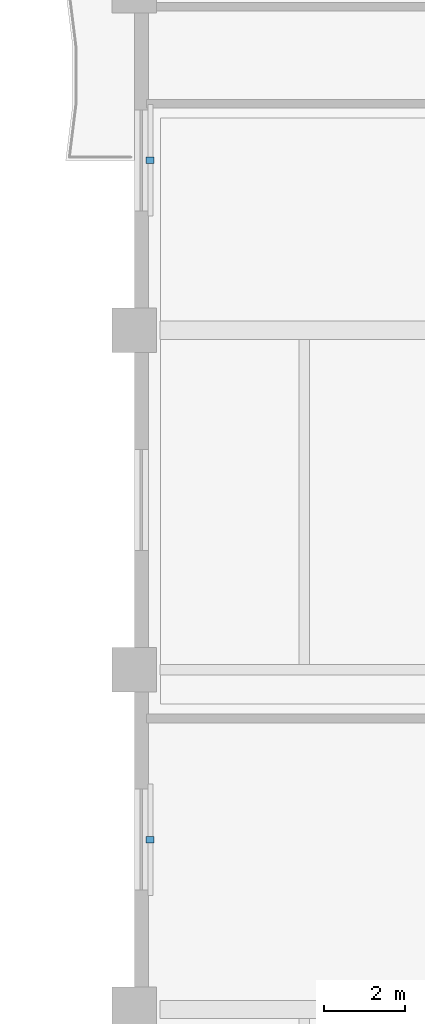
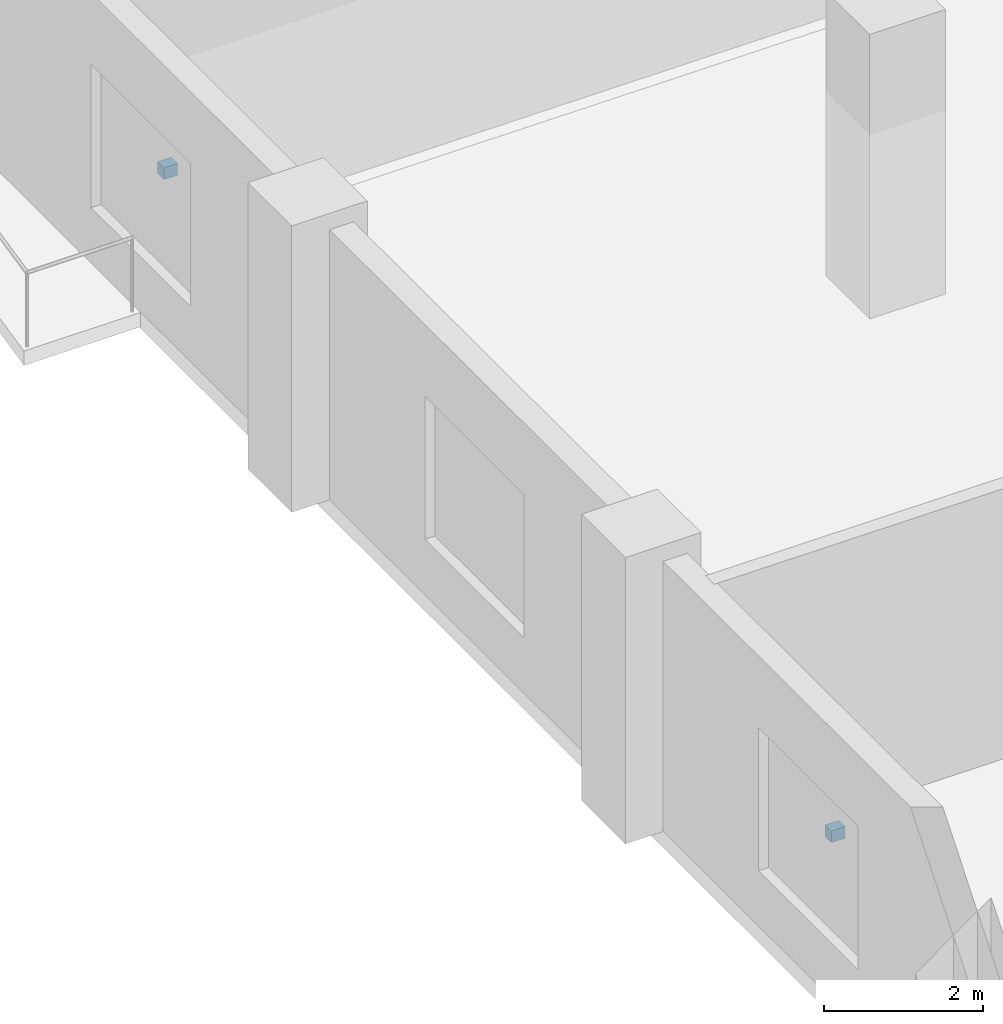
# One storey, part 17 of 22: 2 discrete accessories.
"""IFC4 building model written with IfcOpenShell, lengths in metres."""

from ifc_helpers import new_model, si_unit, direction, frame, origin, origin_2d, place, context, subcontext, project, spatial, rectangle, extrude, material, type_object, element, save


model = new_model("IFC4")

# Units and contexts
model_context = context("Model", 3, precision=1e-05, world=origin(), true_north=direction((0.0, 1.0)))
body_context = subcontext(model_context, "Body", "Model", "MODEL_VIEW")
ifc_project = project(units=[si_unit("LENGTHUNIT", "METRE"), si_unit("AREAUNIT", "SQUARE_METRE"), si_unit("VOLUMEUNIT", "CUBIC_METRE"), si_unit("PLANEANGLEUNIT", "RADIAN"), si_unit("MASSUNIT", "GRAM", prefix="KILO")], contexts=[model_context])

# Site, building, storey
site_placement = place(None, origin())
site = spatial("IfcSite", under=ifc_project, at=site_placement, CompositionType="ELEMENT")
building_placement = place(site_placement, origin())
building = spatial("IfcBuilding", under=site, at=building_placement, Name="Koriwani Terraces Tower", CompositionType="ELEMENT")
storey_placement = place(building_placement, frame((0.0, 0.0, 153.199951171875)))
storey = spatial("IfcBuildingStorey", under=building, at=storey_placement, Name="L37", CompositionType="ELEMENT", Elevation=153.199951171875)

# Discrete accessories
ifc_material = material(Name="Steel ASTM A572 Grade 50", Category="steel")
discrete_accessory_type = type_object("IfcDiscreteAccessoryType", Name="BAGUETTE_STANDOFF_BRACKET", PredefinedType="BRACKET", material=ifc_material)
for number, where, z_axis, x_axis, name in (
    (1, (0.389892578125, 21.0, 1.98486328125), (0.0, 0.0, 1.0), (0.0, 1.0, 0.0), "L37 Terracotta Baguette Bracket (W-6)"),
    (2, (0.389892578125, 37.800048828125, 1.98486328125), (0.0, 0.0, 1.0), (0.0, 1.0, 0.0), "L37 Terracotta Baguette Bracket (W-12)"),
):
    element("IfcDiscreteAccessory", number, at=place(storey_placement, frame(where, z_axis=z_axis, x_axis=x_axis)), inside=storey, type_object=discrete_accessory_type, Name=name, PredefinedType="BRACKET", context=body_context, shape_type="SweptSolid", body=[
        extrude(rectangle(XDim=0.159912109375, YDim=0.199951171875, at=origin_2d()), origin(), (0.0, 0.0, 1.0), 0.179931640625),
    ])

save(model, "model.ifc")
